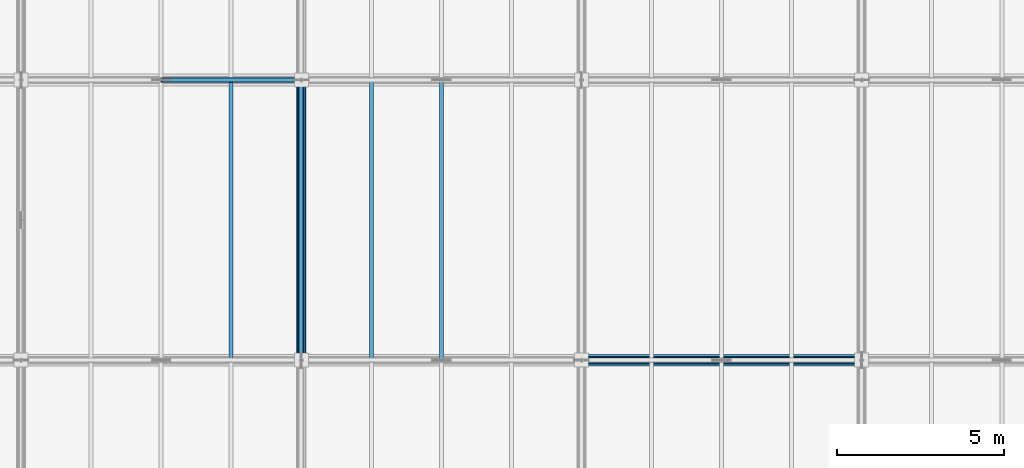
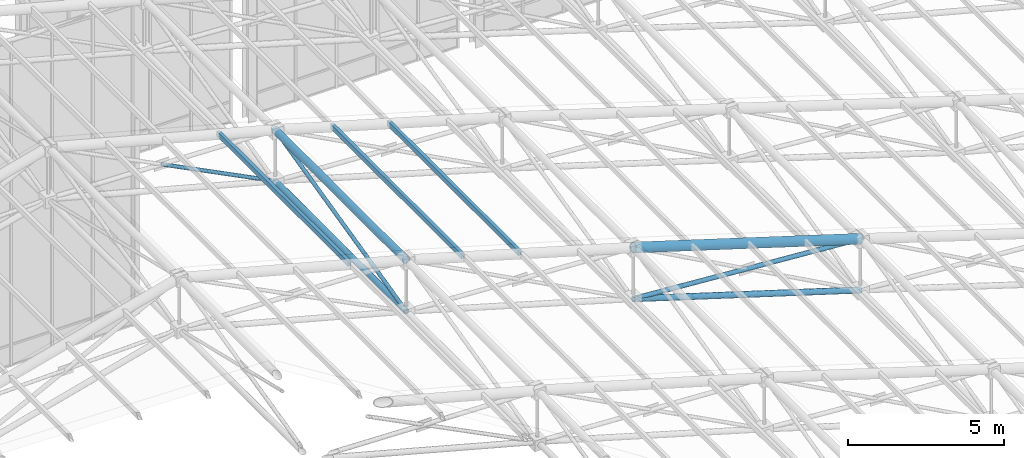
# One storey, part 58 of 144: 10 members.
"""IFC4 building model written with IfcOpenShell, lengths in metres."""

from ifc_helpers import new_model, si_unit, direction, frame, origin, origin_2d, place, context, subcontext, project, spatial, hollow_rectangle, hollow_circle, extrude, material, material_profile, profile_set, type_object, element, save


model = new_model("IFC4")

# Units and contexts
model_context = context("Model", 3, precision=1e-05, world=origin(), true_north=direction((0.0, 1.0)))
body_context = subcontext(model_context, "Body", "Model", "MODEL_VIEW")
ifc_project = project(units=[si_unit("LENGTHUNIT", "METRE"), si_unit("AREAUNIT", "SQUARE_METRE"), si_unit("VOLUMEUNIT", "CUBIC_METRE"), si_unit("PLANEANGLEUNIT", "RADIAN"), si_unit("MASSUNIT", "GRAM", prefix="KILO")], contexts=[model_context])

# Site, building, storey
site_placement = place(None, origin())
site = spatial("IfcSite", under=ifc_project, at=site_placement, CompositionType="ELEMENT")
building_placement = place(site_placement, origin())
building = spatial("IfcBuilding", under=site, at=building_placement, Name="Zayran Congress Hotel", CompositionType="ELEMENT")
storey_placement = place(building_placement, frame((0.0, 0.0, 19.199951171875)))
storey = spatial("IfcBuildingStorey", under=building, at=storey_placement, Name="L04", CompositionType="ELEMENT", Elevation=19.199951171875)

# Members
ifc_material = material(Name="Steel S355", Category="steel")
ifc_material_profile_1 = material_profile(ifc_material, hollow_circle(Radius=0.177734375, WallThickness=0.01611328125, at=origin_2d()), Name="CHS 355.6x16")
ifc_profile_set_1 = profile_set([ifc_material_profile_1], Name="Steel S355")
member_type_1 = type_object("IfcMemberType", Name="TP-SF-TC1", PredefinedType="CHORD", material=ifc_profile_set_1)
member_1_placement = place(storey_placement, frame((67.199951171875, 92.800048828125, 9.902099609375), z_axis=(0.955284210171, 0.0, -0.29568915739), x_axis=(0.0, 1.0, 0.0)))
element("IfcMember", 1, at=member_1_placement, inside=storey, type_object=member_type_1, Name="Space Frame Top Chord X 408", PredefinedType="CHORD", context=body_context, shape_type="SweptSolid", body=[
    extrude(hollow_circle(Radius=0.177734375, WallThickness=0.01611328125, at=origin_2d()), origin(), (0.0, 0.0, 1.0), 8.79345703125),
])
ifc_material_profile_2 = material_profile(ifc_material, hollow_circle(Radius=0.136474609375, WallThickness=0.012451171875, at=origin_2d()), Name="CHS 273x12.5")
ifc_profile_set_2 = profile_set([ifc_material_profile_2], Name="Steel S355")
member_type_2 = type_object("IfcMemberType", Name="TP-SF-TC2", PredefinedType="CHORD", material=ifc_profile_set_2)
member_2_placement = place(storey_placement, frame((58.800048828125, 92.800048828125, 12.35205078125), z_axis=(0.0, 1.0, 0.0), x_axis=(-1.0, 0.0, 0.0)))
element("IfcMember", 2, at=member_2_placement, inside=storey, type_object=member_type_2, Name="Space Frame Top Chord Y 359", PredefinedType="CHORD", context=body_context, shape_type="SweptSolid", body=[
    extrude(hollow_circle(Radius=0.136474609375, WallThickness=0.012451171875, at=origin_2d()), origin(), (0.0, 0.0, 1.0), 8.39990234375),
])
ifc_material_profile_3 = material_profile(ifc_material, hollow_circle(Radius=0.109619140625, WallThickness=0.010009765625, at=origin_2d()), Name="CHS 219.1x10")
ifc_profile_set_3 = profile_set([ifc_material_profile_3], Name="Steel S355")
member_type_3 = type_object("IfcMemberType", Name="TP-SF-BC1", PredefinedType="CHORD", material=ifc_profile_set_3)
member_3_placement = place(storey_placement, frame((58.800048828125, 92.800048828125, 10.35009765625), z_axis=(0.0, 1.0, 0.0), x_axis=(-1.0, 0.0, 0.0)))
element("IfcMember", 3, at=member_3_placement, inside=storey, type_object=member_type_3, Name="Space Frame Bottom Chord Y 360", PredefinedType="CHORD", context=body_context, shape_type="SweptSolid", body=[
    extrude(hollow_circle(Radius=0.109619140625, WallThickness=0.010009765625, at=origin_2d()), origin(), (0.0, 0.0, 1.0), 8.39990234375),
])
member_4_placement = place(storey_placement, frame((67.199951171875, 92.800048828125, 7.900146484375), z_axis=(0.955284210171, 0.0, -0.29568915739), x_axis=(0.0, 1.0, 0.0)))
element("IfcMember", 4, at=member_4_placement, inside=storey, type_object=member_type_3, Name="Space Frame Bottom Chord X 409", PredefinedType="CHORD", context=body_context, shape_type="SweptSolid", body=[
    extrude(hollow_circle(Radius=0.109619140625, WallThickness=0.010009765625, at=origin_2d()), origin(), (0.0, 0.0, 1.0), 8.79345703125),
])
ifc_material_profile_4 = material_profile(ifc_material, hollow_circle(Radius=0.084228515625, WallThickness=0.008056640625, at=origin_2d()), Name="CHS 168.3x8")
ifc_profile_set_4 = profile_set([ifc_material_profile_4], Name="Steel S355")
member_type_4 = type_object("IfcMemberType", Name="TP-SF-DG1", PredefinedType="BRACE", material=ifc_profile_set_4)
member_5_placement = place(storey_placement, frame((67.199951171875, 92.800048828125, 7.900146484375), z_axis=(0.997474421553, 0.0, -0.071026603098), x_axis=(0.0, 1.0, 0.0)))
element("IfcMember", 5, at=member_5_placement, inside=storey, type_object=member_type_4, Name="Space Frame Web Diagonal X 410", PredefinedType="BRACE", context=body_context, shape_type="SweptSolid", body=[
    extrude(hollow_circle(Radius=0.084228515625, WallThickness=0.008056640625, at=origin_2d()), origin(), (0.0, 0.0, 1.0), 8.42138671875),
])
ifc_material_profile_5 = material_profile(ifc_material, hollow_circle(Radius=0.06982421875, WallThickness=0.00634765625, at=origin_2d()), Name="CHS 139.7x6.3")
ifc_profile_set_5 = profile_set([ifc_material_profile_5], Name="Steel S355")
member_type_5 = type_object("IfcMemberType", Name="TP-SF-DG2", PredefinedType="BRACE", material=ifc_profile_set_5)
member_6_placement = place(storey_placement, frame((54.61328125, 101.199951171875, 12.46923828125), z_axis=(0.892220848392, 0.0, -0.451599333142), x_axis=(0.0, 1.0, 0.0)))
element("IfcMember", 6, at=member_6_placement, inside=storey, type_object=member_type_5, Name="Space Frame Counter Diagonal X Lower 50", PredefinedType="BRACE", context=body_context, shape_type="SweptSolid", body=[
    extrude(hollow_circle(Radius=0.06982421875, WallThickness=0.00634765625, at=origin_2d()), origin(), (0.0, 0.0, 1.0), 4.692626953125),
])
member_7_placement = place(storey_placement, frame((58.800048828125, 92.800048828125, 10.35009765625), z_axis=(0.0, 0.97275461998, 0.231837118056), x_axis=(-1.0, 0.0, 0.0)))
element("IfcMember", 7, at=member_7_placement, inside=storey, type_object=member_type_5, Name="Space Frame Web Diagonal Y 361", PredefinedType="BRACE", context=body_context, shape_type="SweptSolid", body=[
    extrude(hollow_circle(Radius=0.06982421875, WallThickness=0.00634765625, at=origin_2d()), origin(), (0.0, 0.0, 1.0), 8.63525390625),
])
ifc_material_profile_6 = material_profile(ifc_material, hollow_rectangle(XDim=0.1201171875, YDim=0.199951171875, WallThickness=0.008056640625, at=origin_2d()), Name="RHS 200x120x8")
ifc_profile_set_6 = profile_set([ifc_material_profile_6], Name="Steel S355")
member_type_6 = type_object("IfcMemberType", Name="TP-PR-01", PredefinedType="PURLIN", material=ifc_profile_set_6)
for number, where, z_axis, x_axis, name in (
    (8, (56.699951171875, 92.800048828125, 12.95654296875), (0.0, 1.0, 0.0), (-1.0, 0.0, 0.0), "MEM-PR-V1-0106"),
    (9, (60.89990234375, 92.800048828125, 11.781494140625), (0.0, 1.0, 0.0), (-1.0, 0.0, 0.0), "MEM-PR-V1-0112"),
    (10, (63.0, 92.800048828125, 11.1689453125), (0.0, 1.0, 0.0), (-1.0, 0.0, 0.0), "MEM-PR-V1-0118"),
):
    element("IfcMember", number, at=place(storey_placement, frame(where, z_axis=z_axis, x_axis=x_axis)), inside=storey, type_object=member_type_6, Name=name, PredefinedType="PURLIN", context=body_context, shape_type="SweptSolid", body=[
        extrude(hollow_rectangle(XDim=0.1201171875, YDim=0.199951171875, WallThickness=0.008056640625, at=origin_2d()), origin(), (0.0, 0.0, 1.0), 8.39990234375),
    ])

save(model, "model.ifc")
